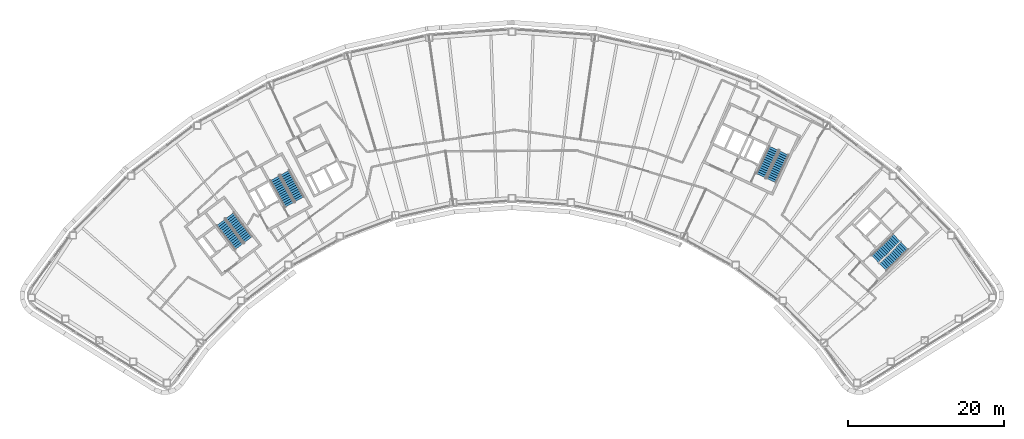
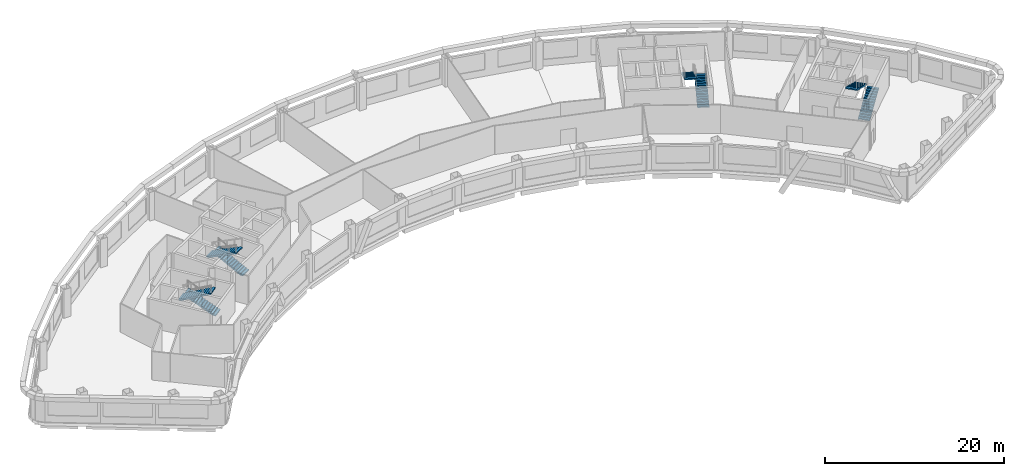
# One storey, part 10 of 12: 8 stair flights, 4 elements without a shape of their own.
"""IFC4 building model written with IfcOpenShell, lengths in metres."""

from ifc_helpers import new_model, si_unit, direction, frame, origin, place, context, subcontext, project, spatial, polyline, outline, extrude, material, type_object, element, aggregate, save


model = new_model("IFC4")

# Units and contexts
model_context = context("Model", 3, precision=1e-05, world=origin(), true_north=direction((0.0, 1.0)))
body_context = subcontext(model_context, "Body", "Model", "MODEL_VIEW")
ifc_project = project(units=[si_unit("LENGTHUNIT", "METRE"), si_unit("AREAUNIT", "SQUARE_METRE"), si_unit("VOLUMEUNIT", "CUBIC_METRE"), si_unit("PLANEANGLEUNIT", "RADIAN"), si_unit("MASSUNIT", "GRAM", prefix="KILO")], contexts=[model_context])

# Site, building, storey
site_placement = place(None, origin())
site = spatial("IfcSite", under=ifc_project, at=site_placement, CompositionType="ELEMENT")
building_placement = place(site_placement, origin())
building = spatial("IfcBuilding", under=site, at=building_placement, Name="Tuul Gate Civic Tower", CompositionType="ELEMENT")
storey_placement = place(building_placement, frame((0.0, 0.0, 176.300048828125)))
storey = spatial("IfcBuildingStorey", under=building, at=storey_placement, Name="Level 40", CompositionType="ELEMENT", Elevation=176.300048828125)

# Stair, stair flights
ifc_material_1 = material(Name="Concrete C40/50", Category="concrete")
stair_type = type_object("IfcStairType", Name="Exit stair", PredefinedType="HALF_TURN_STAIR", material=ifc_material_1)
stair_1_placement = place(storey_placement, origin())
stair_1 = element("IfcStair", 1, at=stair_1_placement, inside=storey, type_object=stair_type, Name="Level 40 ST-1", PredefinedType="HALF_TURN_STAIR")
ifc_material_2 = material(Name="Concrete C40/50", Category="concrete")
stair_flight_type = type_object("IfcStairFlightType", Name="Exit stair flight", PredefinedType="STRAIGHT", material=ifc_material_2)
stair_flight_1_placement = place(storey_placement, frame((-32.875244140625, -13.066650390625, 0.0), z_axis=(0.0, 0.0, 1.0), x_axis=(-0.605764474941, 0.795644016442, 0.0)))
stair_flight_1 = element("IfcStairFlight", 2, at=stair_flight_1_placement, type_object=stair_flight_type, Name="ST-1 flight 1", NumberOfRisers=14, NumberOfTreads=13, PredefinedType="STRAIGHT", RiserHeight=0.15, TreadLength=0.3, context=body_context, shape_type="SweptSolid", body=[
    extrude(outline(polyline([(0.0, 0.0), (0.0, 0.14990234375), (0.300048828125, 0.14990234375), (0.300048828125, 0.300048828125), (0.60009765625, 0.300048828125), (0.60009765625, 0.449951171875), (0.89990234375, 0.449951171875), (0.89990234375, 0.60009765625), (1.199951171875, 0.60009765625), (1.199951171875, 0.75), (1.5, 0.75), (1.5, 0.89990234375), (1.800048828125, 0.89990234375), (1.800048828125, 1.050048828125), (2.10009765625, 1.050048828125), (2.10009765625, 1.199951171875), (2.39990234375, 1.199951171875), (2.39990234375, 1.35009765625), (2.699951171875, 1.35009765625), (2.699951171875, 1.5), (3.0, 1.5), (3.0, 1.64990234375), (3.300048828125, 1.64990234375), (3.300048828125, 1.800048828125), (3.60009765625, 1.800048828125), (3.60009765625, 1.949951171875), (3.89990234375, 1.949951171875), (3.89990234375, 2.10009765625), (3.89990234375, 1.782470703125), (0.335205078125, 0.0), (0.0, 0.0)])), frame((0.0, 0.675048828125, 0.0), z_axis=(0.0, -1.0, 0.0), x_axis=(1.0, 0.0, 0.0)), (0.0, 0.0, 1.0), 1.35009765625),
])
stair_flight_2_placement = place(storey_placement, frame((-36.391357421875, -10.842041015625, 2.099853515625), z_axis=(0.0, 0.0, 1.0), x_axis=(0.605764474941, -0.795644016442, 0.0)))
stair_flight_2 = element("IfcStairFlight", 3, at=stair_flight_2_placement, type_object=stair_flight_type, Name="ST-1 flight 2", NumberOfRisers=14, NumberOfTreads=13, PredefinedType="STRAIGHT", RiserHeight=0.15, TreadLength=0.3, context=body_context, shape_type="SweptSolid", body=[
    extrude(outline(polyline([(0.0, 0.0), (0.0, 0.14990234375), (0.300048828125, 0.14990234375), (0.300048828125, 0.300048828125), (0.60009765625, 0.300048828125), (0.60009765625, 0.449951171875), (0.89990234375, 0.449951171875), (0.89990234375, 0.60009765625), (1.199951171875, 0.60009765625), (1.199951171875, 0.75), (1.5, 0.75), (1.5, 0.89990234375), (1.800048828125, 0.89990234375), (1.800048828125, 1.050048828125), (2.10009765625, 1.050048828125), (2.10009765625, 1.199951171875), (2.39990234375, 1.199951171875), (2.39990234375, 1.35009765625), (2.699951171875, 1.35009765625), (2.699951171875, 1.5), (3.0, 1.5), (3.0, 1.64990234375), (3.300048828125, 1.64990234375), (3.300048828125, 1.800048828125), (3.60009765625, 1.800048828125), (3.60009765625, 1.949951171875), (3.89990234375, 1.949951171875), (3.89990234375, 2.10009765625), (3.89990234375, 1.782470703125), (0.335205078125, 0.0), (0.0, 0.0)])), frame((0.0, 0.675048828125, 0.0), z_axis=(0.0, -1.0, 0.0), x_axis=(1.0, 0.0, 0.0)), (0.0, 0.0, 1.0), 1.35009765625),
])
aggregate(stair_1, [stair_flight_1, stair_flight_2])

stair_2_placement = place(storey_placement, origin())
stair_2 = element("IfcStair", 4, at=stair_2_placement, inside=storey, type_object=stair_type, Name="Level 40 ST-2", PredefinedType="HALF_TURN_STAIR")
stair_flight_3_placement = place(storey_placement, frame((-26.29150390625, -7.87646484375, 0.0), z_axis=(0.0, 0.0, 1.0), x_axis=(-0.484761763766, 0.874646232708, 0.0)))
stair_flight_3 = element("IfcStairFlight", 5, at=stair_flight_3_placement, type_object=stair_flight_type, Name="ST-2 flight 1", NumberOfRisers=14, NumberOfTreads=13, PredefinedType="STRAIGHT", RiserHeight=0.15, TreadLength=0.3, context=body_context, shape_type="SweptSolid", body=[
    extrude(outline(polyline([(0.0, 0.0), (0.0, 0.14990234375), (0.300048828125, 0.14990234375), (0.300048828125, 0.300048828125), (0.60009765625, 0.300048828125), (0.60009765625, 0.449951171875), (0.89990234375, 0.449951171875), (0.89990234375, 0.60009765625), (1.199951171875, 0.60009765625), (1.199951171875, 0.75), (1.5, 0.75), (1.5, 0.89990234375), (1.800048828125, 0.89990234375), (1.800048828125, 1.050048828125), (2.10009765625, 1.050048828125), (2.10009765625, 1.199951171875), (2.39990234375, 1.199951171875), (2.39990234375, 1.35009765625), (2.699951171875, 1.35009765625), (2.699951171875, 1.5), (3.0, 1.5), (3.0, 1.64990234375), (3.300048828125, 1.64990234375), (3.300048828125, 1.800048828125), (3.60009765625, 1.800048828125), (3.60009765625, 1.949951171875), (3.89990234375, 1.949951171875), (3.89990234375, 2.10009765625), (3.89990234375, 1.782470703125), (0.335205078125, 0.0), (0.0, 0.0)])), frame((0.0, 0.675048828125, 0.0), z_axis=(0.0, -1.0, 0.0), x_axis=(1.0, 0.0, 0.0)), (0.0, 0.0, 1.0), 1.35009765625),
])
stair_flight_4_placement = place(storey_placement, frame((-29.450439453125, -5.168212890625, 2.099853515625), z_axis=(0.0, 0.0, 1.0), x_axis=(0.484761763766, -0.874646232708, 0.0)))
stair_flight_4 = element("IfcStairFlight", 6, at=stair_flight_4_placement, type_object=stair_flight_type, Name="ST-2 flight 2", NumberOfRisers=14, NumberOfTreads=13, PredefinedType="STRAIGHT", RiserHeight=0.15, TreadLength=0.3, context=body_context, shape_type="SweptSolid", body=[
    extrude(outline(polyline([(0.0, 0.0), (0.0, 0.14990234375), (0.300048828125, 0.14990234375), (0.300048828125, 0.300048828125), (0.60009765625, 0.300048828125), (0.60009765625, 0.449951171875), (0.89990234375, 0.449951171875), (0.89990234375, 0.60009765625), (1.199951171875, 0.60009765625), (1.199951171875, 0.75), (1.5, 0.75), (1.5, 0.89990234375), (1.800048828125, 0.89990234375), (1.800048828125, 1.050048828125), (2.10009765625, 1.050048828125), (2.10009765625, 1.199951171875), (2.39990234375, 1.199951171875), (2.39990234375, 1.35009765625), (2.699951171875, 1.35009765625), (2.699951171875, 1.5), (3.0, 1.5), (3.0, 1.64990234375), (3.300048828125, 1.64990234375), (3.300048828125, 1.800048828125), (3.60009765625, 1.800048828125), (3.60009765625, 1.949951171875), (3.89990234375, 1.949951171875), (3.89990234375, 2.10009765625), (3.89990234375, 1.782470703125), (0.335205078125, 0.0), (0.0, 0.0)])), frame((0.0, 0.675048828125, 0.0), z_axis=(0.0, -1.0, 0.0), x_axis=(1.0, 0.0, 0.0)), (0.0, 0.0, 1.0), 1.35009765625),
])
aggregate(stair_2, [stair_flight_3, stair_flight_4])

stair_3_placement = place(storey_placement, origin())
stair_3 = element("IfcStair", 7, at=stair_3_placement, inside=storey, type_object=stair_type, Name="Level 40 ST-3", PredefinedType="HALF_TURN_STAIR")
stair_flight_5_placement = place(storey_placement, frame((48.61376953125, -16.581787109375, 0.0), z_axis=(0.0, 0.0, 1.0), x_axis=(0.714127290059, 0.700015866672, 0.0)))
stair_flight_5 = element("IfcStairFlight", 8, at=stair_flight_5_placement, type_object=stair_flight_type, Name="ST-3 flight 1", NumberOfRisers=14, NumberOfTreads=13, PredefinedType="STRAIGHT", RiserHeight=0.15, TreadLength=0.3, context=body_context, shape_type="SweptSolid", body=[
    extrude(outline(polyline([(0.0, 0.0), (0.0, 0.14990234375), (0.300048828125, 0.14990234375), (0.300048828125, 0.300048828125), (0.60009765625, 0.300048828125), (0.60009765625, 0.449951171875), (0.89990234375, 0.449951171875), (0.89990234375, 0.60009765625), (1.199951171875, 0.60009765625), (1.199951171875, 0.75), (1.5, 0.75), (1.5, 0.89990234375), (1.800048828125, 0.89990234375), (1.800048828125, 1.050048828125), (2.10009765625, 1.050048828125), (2.10009765625, 1.199951171875), (2.39990234375, 1.199951171875), (2.39990234375, 1.35009765625), (2.699951171875, 1.35009765625), (2.699951171875, 1.5), (3.0, 1.5), (3.0, 1.64990234375), (3.300048828125, 1.64990234375), (3.300048828125, 1.800048828125), (3.60009765625, 1.800048828125), (3.60009765625, 1.949951171875), (3.89990234375, 1.949951171875), (3.89990234375, 2.10009765625), (3.89990234375, 1.782470703125), (0.335205078125, 0.0), (0.0, 0.0)])), frame((0.0, 0.675048828125, 0.0), z_axis=(0.0, -1.0, 0.0), x_axis=(1.0, 0.0, 0.0)), (0.0, 0.0, 1.0), 1.35009765625),
])
stair_flight_6_placement = place(storey_placement, frame((50.3837890625, -12.816162109375, 2.099853515625), z_axis=(0.0, 0.0, 1.0), x_axis=(-0.714127290059, -0.700015866672, 0.0)))
stair_flight_6 = element("IfcStairFlight", 9, at=stair_flight_6_placement, type_object=stair_flight_type, Name="ST-3 flight 2", NumberOfRisers=14, NumberOfTreads=13, PredefinedType="STRAIGHT", RiserHeight=0.15, TreadLength=0.3, context=body_context, shape_type="SweptSolid", body=[
    extrude(outline(polyline([(0.0, 0.0), (0.0, 0.14990234375), (0.300048828125, 0.14990234375), (0.300048828125, 0.300048828125), (0.60009765625, 0.300048828125), (0.60009765625, 0.449951171875), (0.89990234375, 0.449951171875), (0.89990234375, 0.60009765625), (1.199951171875, 0.60009765625), (1.199951171875, 0.75), (1.5, 0.75), (1.5, 0.89990234375), (1.800048828125, 0.89990234375), (1.800048828125, 1.050048828125), (2.10009765625, 1.050048828125), (2.10009765625, 1.199951171875), (2.39990234375, 1.199951171875), (2.39990234375, 1.35009765625), (2.699951171875, 1.35009765625), (2.699951171875, 1.5), (3.0, 1.5), (3.0, 1.64990234375), (3.300048828125, 1.64990234375), (3.300048828125, 1.800048828125), (3.60009765625, 1.800048828125), (3.60009765625, 1.949951171875), (3.89990234375, 1.949951171875), (3.89990234375, 2.10009765625), (3.89990234375, 1.782470703125), (0.335205078125, 0.0), (0.0, 0.0)])), frame((0.0, 0.675048828125, 0.0), z_axis=(0.0, -1.0, 0.0), x_axis=(1.0, 0.0, 0.0)), (0.0, 0.0, 1.0), 1.35009765625),
])
aggregate(stair_3, [stair_flight_5, stair_flight_6])

stair_4_placement = place(storey_placement, origin())
stair_4 = element("IfcStair", 10, at=stair_4_placement, inside=storey, type_object=stair_type, Name="Level 40 ST-4", PredefinedType="HALF_TURN_STAIR")
stair_flight_7_placement = place(storey_placement, frame((34.278564453125, -5.478515625, 0.0), z_axis=(0.0, 0.0, 1.0), x_axis=(0.422576295988, 0.906327354806, 0.0)))
stair_flight_7 = element("IfcStairFlight", 11, at=stair_flight_7_placement, type_object=stair_flight_type, Name="ST-4 flight 1", NumberOfRisers=14, NumberOfTreads=13, PredefinedType="STRAIGHT", RiserHeight=0.15, TreadLength=0.3, context=body_context, shape_type="SweptSolid", body=[
    extrude(outline(polyline([(0.0, 0.0), (0.0, 0.14990234375), (0.300048828125, 0.14990234375), (0.300048828125, 0.300048828125), (0.60009765625, 0.300048828125), (0.60009765625, 0.449951171875), (0.89990234375, 0.449951171875), (0.89990234375, 0.60009765625), (1.199951171875, 0.60009765625), (1.199951171875, 0.75), (1.5, 0.75), (1.5, 0.89990234375), (1.800048828125, 0.89990234375), (1.800048828125, 1.050048828125), (2.10009765625, 1.050048828125), (2.10009765625, 1.199951171875), (2.39990234375, 1.199951171875), (2.39990234375, 1.35009765625), (2.699951171875, 1.35009765625), (2.699951171875, 1.5), (3.0, 1.5), (3.0, 1.64990234375), (3.300048828125, 1.64990234375), (3.300048828125, 1.800048828125), (3.60009765625, 1.800048828125), (3.60009765625, 1.949951171875), (3.89990234375, 1.949951171875), (3.89990234375, 2.10009765625), (3.89990234375, 1.782470703125), (0.335205078125, 0.0), (0.0, 0.0)])), frame((0.0, 0.675048828125, 0.0), z_axis=(0.0, -1.0, 0.0), x_axis=(1.0, 0.0, 0.0)), (0.0, 0.0, 1.0), 1.35009765625),
])
stair_flight_8_placement = place(storey_placement, frame((34.612548828125, -1.3310546875, 2.099853515625), z_axis=(0.0, 0.0, 1.0), x_axis=(-0.422576295988, -0.906327354806, 0.0)))
stair_flight_8 = element("IfcStairFlight", 12, at=stair_flight_8_placement, type_object=stair_flight_type, Name="ST-4 flight 2", NumberOfRisers=14, NumberOfTreads=13, PredefinedType="STRAIGHT", RiserHeight=0.15, TreadLength=0.3, context=body_context, shape_type="SweptSolid", body=[
    extrude(outline(polyline([(0.0, 0.0), (0.0, 0.14990234375), (0.300048828125, 0.14990234375), (0.300048828125, 0.300048828125), (0.60009765625, 0.300048828125), (0.60009765625, 0.449951171875), (0.89990234375, 0.449951171875), (0.89990234375, 0.60009765625), (1.199951171875, 0.60009765625), (1.199951171875, 0.75), (1.5, 0.75), (1.5, 0.89990234375), (1.800048828125, 0.89990234375), (1.800048828125, 1.050048828125), (2.10009765625, 1.050048828125), (2.10009765625, 1.199951171875), (2.39990234375, 1.199951171875), (2.39990234375, 1.35009765625), (2.699951171875, 1.35009765625), (2.699951171875, 1.5), (3.0, 1.5), (3.0, 1.64990234375), (3.300048828125, 1.64990234375), (3.300048828125, 1.800048828125), (3.60009765625, 1.800048828125), (3.60009765625, 1.949951171875), (3.89990234375, 1.949951171875), (3.89990234375, 2.10009765625), (3.89990234375, 1.782470703125), (0.335205078125, 0.0), (0.0, 0.0)])), frame((0.0, 0.675048828125, 0.0), z_axis=(0.0, -1.0, 0.0), x_axis=(1.0, 0.0, 0.0)), (0.0, 0.0, 1.0), 1.35009765625),
])
aggregate(stair_4, [stair_flight_7, stair_flight_8])

save(model, "model.ifc")
